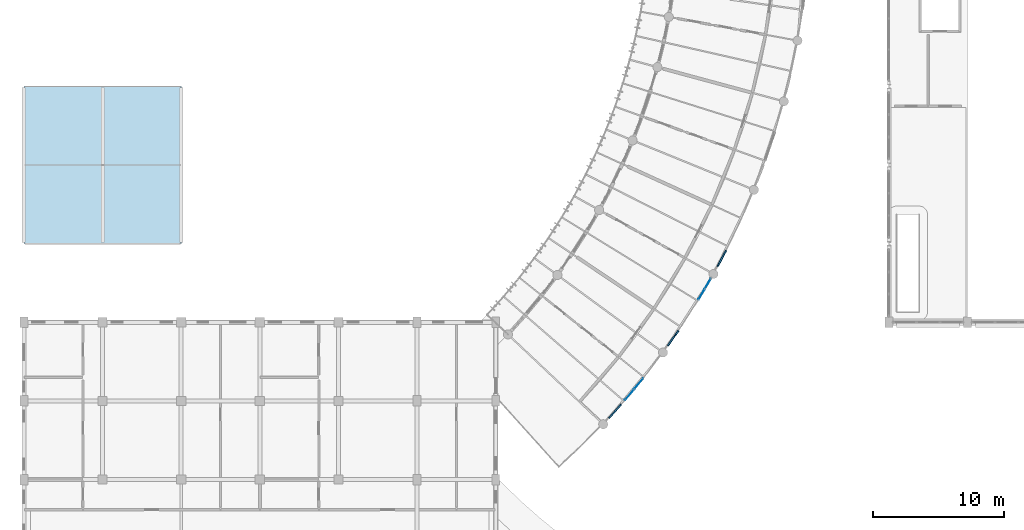
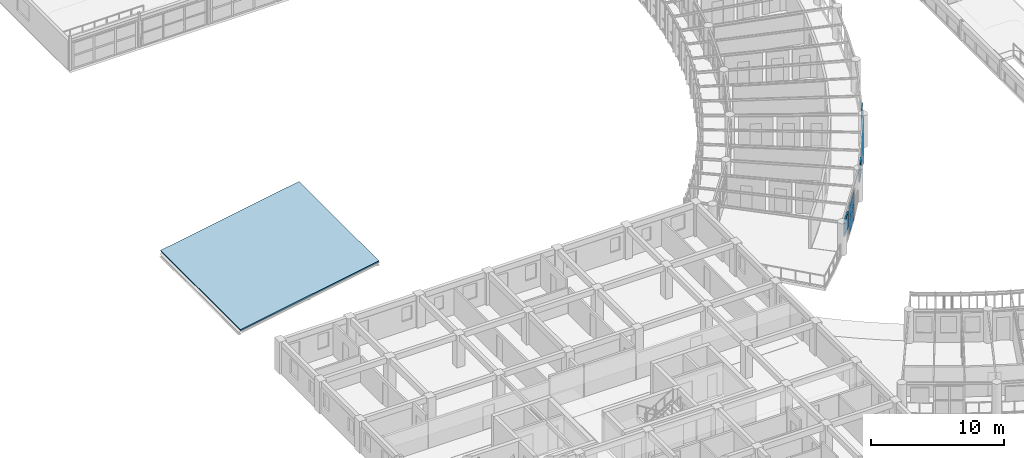
# One storey, part 75 of 137: 11 plates, 1 slab, 2 elements without a shape of their own.
"""IFC4 building model written with IfcOpenShell, lengths in metres."""

from ifc_helpers import new_model, si_unit, direction, frame, origin, origin_2d, place, context, subcontext, project, spatial, polyline, rectangle, outline, extrude, material, layer, layer_set, type_object, element, aggregate, save


model = new_model("IFC4")

# Units and contexts
model_context = context("Model", 3, precision=1e-05, world=origin(), true_north=direction((0.0, 1.0)))
body_context = subcontext(model_context, "Body", "Model", "MODEL_VIEW")
ifc_project = project(units=[si_unit("LENGTHUNIT", "METRE"), si_unit("AREAUNIT", "SQUARE_METRE"), si_unit("VOLUMEUNIT", "CUBIC_METRE"), si_unit("PLANEANGLEUNIT", "RADIAN"), si_unit("MASSUNIT", "GRAM", prefix="KILO"), si_unit("POWERUNIT", "WATT"), si_unit("THERMODYNAMICTEMPERATUREUNIT", "KELVIN")], contexts=[model_context])

# Site, building, storey
site_placement = place(None, origin())
site = spatial("IfcSite", under=ifc_project, at=site_placement, CompositionType="ELEMENT")
building_placement = place(site_placement, origin())
building = spatial("IfcBuilding", under=site, at=building_placement, Name="Ruvembo Vaulted Housing Court", CompositionType="ELEMENT")
storey_placement = place(building_placement, frame((0.0, 0.0, 4.5)))
storey = spatial("IfcBuildingStorey", under=building, at=storey_placement, Name="L01", CompositionType="ELEMENT", Elevation=4.5)

# Curtain wall, plates
ifc_material_1 = material(Name="Anodised Aluminium and Solar-Control Glass", Category="aluminium")
ifc_layer_1 = layer(ifc_material_1, 0.1201171875, Name="Anodised Aluminium and Solar-Control Glass")
ifc_layer_set_1 = layer_set([ifc_layer_1], Name="Anodised Aluminium and Solar-Control Glass")
curtain_wall_type = type_object("IfcCurtainWallType", Name="CW-SCOOP-GAL", PredefinedType="NOTDEFINED", material=ifc_layer_set_1)
curtain_wall_1_placement = place(storey_placement, origin())
curtain_wall_1 = element("IfcCurtainWall", 1, at=curtain_wall_1_placement, inside=storey, type_object=curtain_wall_type, Name="L01 Curtain Wall CW-L01-0009", PredefinedType="NOTDEFINED")
ifc_material_2 = material(Name="Solar-Control Laminated Insulating Glass", Category="glass")
ifc_layer_2 = layer(ifc_material_2, 0.035888671875, Name="Solar-Control Laminated Insulating Glass")
ifc_layer_set_2 = layer_set([ifc_layer_2], Name="Solar-Control Laminated Insulating Glass")
plate_type_1 = type_object("IfcPlateType", Name="CW-PANEL-ACOUST", PredefinedType="CURTAIN_PANEL", material=ifc_layer_set_2)
plate_1_placement = place(storey_placement, frame((46.207763671875, 36.468994140625, 0.06005859375), z_axis=(0.0, 0.0, 1.0), x_axis=(0.639868943167, 0.768484050303, 0.0)))
plate_1 = element("IfcPlate", 2, at=plate_1_placement, type_object=plate_type_1, Name="CW6 panel 1.1", PredefinedType="CURTAIN_PANEL", context=body_context, shape_type="SweptSolid", body=[
    extrude(rectangle(XDim=1.04833984375, YDim=0.035888671875, at=origin_2d()), origin(), (0.0, 0.0, 1.0), 1.259033203125),
])
plate_2_placement = place(storey_placement, frame((46.207763671875, 36.468994140625, 1.37890625), z_axis=(0.0, 0.0, 1.0), x_axis=(0.639868943167, 0.768484050303, 0.0)))
plate_2 = element("IfcPlate", 3, at=plate_2_placement, type_object=plate_type_1, Name="CW6 panel 1.2", PredefinedType="CURTAIN_PANEL", context=body_context, shape_type="SweptSolid", body=[
    extrude(rectangle(XDim=1.04833984375, YDim=0.035888671875, at=origin_2d()), origin(), (0.0, 0.0, 1.0), 1.259033203125),
])
plate_3_placement = place(storey_placement, frame((46.9169921875, 37.32080078125, 0.06005859375), z_axis=(0.0, 0.0, 1.0), x_axis=(0.639868943167, 0.768484050303, 0.0)))
plate_3 = element("IfcPlate", 4, at=plate_3_placement, type_object=plate_type_1, Name="CW6 panel 2.1", PredefinedType="CURTAIN_PANEL", context=body_context, shape_type="SweptSolid", body=[
    extrude(rectangle(XDim=1.04833984375, YDim=0.035888671875, at=origin_2d()), origin(), (0.0, 0.0, 1.0), 1.259033203125),
])
plate_4_placement = place(storey_placement, frame((46.9169921875, 37.32080078125, 1.37890625), z_axis=(0.0, 0.0, 1.0), x_axis=(0.639868943167, 0.768484050303, 0.0)))
plate_4 = element("IfcPlate", 5, at=plate_4_placement, type_object=plate_type_1, Name="CW6 panel 2.2", PredefinedType="CURTAIN_PANEL", context=body_context, shape_type="SweptSolid", body=[
    extrude(rectangle(XDim=1.04833984375, YDim=0.035888671875, at=origin_2d()), origin(), (0.0, 0.0, 1.0), 1.259033203125),
])
aggregate(curtain_wall_1, [plate_1, plate_2, plate_3, plate_4])

curtain_wall_2_placement = place(storey_placement, origin())
curtain_wall_2 = element("IfcCurtainWall", 6, at=curtain_wall_2_placement, inside=storey, type_object=curtain_wall_type, Name="L01 Curtain Wall CW-L01-0010", PredefinedType="NOTDEFINED")
ifc_layer_3 = layer(ifc_material_2, 0.031982421875, Name="Solar-Control Laminated Insulating Glass")
ifc_layer_set_3 = layer_set([ifc_layer_3], Name="Solar-Control Laminated Insulating Glass")
plate_type_2 = type_object("IfcPlateType", Name="CW-PANEL-SOLAR", PredefinedType="CURTAIN_PANEL", material=ifc_layer_set_3)
plate_5_placement = place(storey_placement, frame((51.7021484375, 44.1220703125, 0.06494140625), z_axis=(0.0, 0.0, 1.0), x_axis=(0.505876597392, 0.862605859133, 0.0)))
plate_5 = element("IfcPlate", 7, at=plate_5_placement, type_object=plate_type_2, Name="CW6 panel 1.1", PredefinedType="CURTAIN_PANEL", context=body_context, shape_type="SweptSolid", body=[
    extrude(rectangle(XDim=0.890869140625, YDim=0.031982421875, at=origin_2d()), origin(), (0.0, 0.0, 1.0), 1.25146484375),
])
plate_6_placement = place(storey_placement, frame((51.7021484375, 44.1220703125, 1.381591796875), z_axis=(0.0, 0.0, 1.0), x_axis=(0.505876597392, 0.862605859133, 0.0)))
plate_6 = element("IfcPlate", 8, at=plate_6_placement, type_object=plate_type_2, Name="CW6 panel 1.2", PredefinedType="CURTAIN_PANEL", context=body_context, shape_type="SweptSolid", body=[
    extrude(rectangle(XDim=0.890869140625, YDim=0.031982421875, at=origin_2d()), origin(), (0.0, 0.0, 1.0), 1.25146484375),
])
plate_7_placement = place(storey_placement, frame((52.185546875, 44.946533203125, 0.06494140625), z_axis=(0.0, 0.0, 1.0), x_axis=(0.505876597392, 0.862605859133, 0.0)))
plate_7 = element("IfcPlate", 9, at=plate_7_placement, type_object=plate_type_2, Name="CW6 panel 2.1", PredefinedType="CURTAIN_PANEL", context=body_context, shape_type="SweptSolid", body=[
    extrude(rectangle(XDim=0.890869140625, YDim=0.031982421875, at=origin_2d()), origin(), (0.0, 0.0, 1.0), 1.25146484375),
])
plate_8_placement = place(storey_placement, frame((52.185546875, 44.946533203125, 1.381591796875), z_axis=(0.0, 0.0, 1.0), x_axis=(0.505876597392, 0.862605859133, 0.0)))
plate_8 = element("IfcPlate", 10, at=plate_8_placement, type_object=plate_type_2, Name="CW6 panel 2.2", PredefinedType="CURTAIN_PANEL", context=body_context, shape_type="SweptSolid", body=[
    extrude(rectangle(XDim=0.890869140625, YDim=0.031982421875, at=origin_2d()), origin(), (0.0, 0.0, 1.0), 1.25146484375),
])
aggregate(curtain_wall_2, [plate_5, plate_6, plate_7, plate_8])

# Plates
ifc_material_3 = material(Name="Perforated Glazed Ceramic Cobogo Block", Category="ceramic")
ifc_layer_4 = layer(ifc_material_3, 0.1201171875, Name="Perforated Glazed Ceramic Cobogo Block")
ifc_layer_set_4 = layer_set([ifc_layer_4], Name="Perforated Glazed Ceramic Cobogo Block")
plate_type_3 = type_object("IfcPlateType", Name="PL-COBOGO-120", PredefinedType="USERDEFINED", material=ifc_layer_set_4)
for number, where, z_axis, x_axis, name in (
    (11, (45.105712890625, 35.2119140625, 1.1201171875), (0.0, 0.0, 1.0), (0.670815024682, 0.741624704726, 0.0), "Scoop SC1 L01 Ceramic Cobogo Screen #1"),
    (12, (49.53662109375, 40.790283203125, 1.1201171875), (0.0, 0.0, 1.0), (0.574805323191, 0.818290193288, 0.0), "Scoop SC1 L01 Ceramic Cobogo Screen #2"),
    (13, (53.25, 46.8701171875, 1.1201171875), (0.0, 0.0, 1.0), (0.470134075244, 0.882595009783, 0.0), "Scoop SC1 L01 Ceramic Cobogo Screen #3"),
):
    element("IfcPlate", number, at=place(storey_placement, frame(where, z_axis=z_axis, x_axis=x_axis)), inside=storey, type_object=plate_type_3, Name=name, ObjectType="COBOGO_PANEL", PredefinedType="USERDEFINED", context=body_context, shape_type="SweptSolid", body=[
        extrude(rectangle(XDim=1.39990234375, YDim=0.1201171875, at=origin_2d()), origin(), (0.0, 0.0, 1.0), 1.360107421875),
    ])

# Slab
ifc_material_4 = material(Name="Concrete C35/45", Category="concrete")
ifc_layer_5 = layer(ifc_material_4, 0.1201171875, Name="Concrete C35/45")
ifc_layer_set_5 = layer_set([ifc_layer_5], Name="Concrete C35/45")
slab_type = type_object("IfcSlabType", Name="SL-CANOPY-120", PredefinedType="ROOF", material=ifc_layer_set_5)
slab_placement = place(storey_placement, frame((0.0, 48.0, 0.1201171875), z_axis=(-0.173632170535, 0.0, 0.984810575367), x_axis=(0.984810575367, 0.0, 0.173632170535)))
element("IfcSlab", 14, at=slab_placement, inside=storey, type_object=slab_type, Name="Street Entrance Canopy Roof Slab CAN-W", PredefinedType="ROOF", context=body_context, shape_type="SweptSolid", body=[
    extrude(outline(polyline([(0.0, 0.0), (12.18508442146256, 0.0), (12.18508442146256, 12.0), (0.0, 12.0), (0.0, 0.0)])), origin(), (0.0, 0.0, -1.0), 0.1201171875),
])

save(model, "model.ifc")
